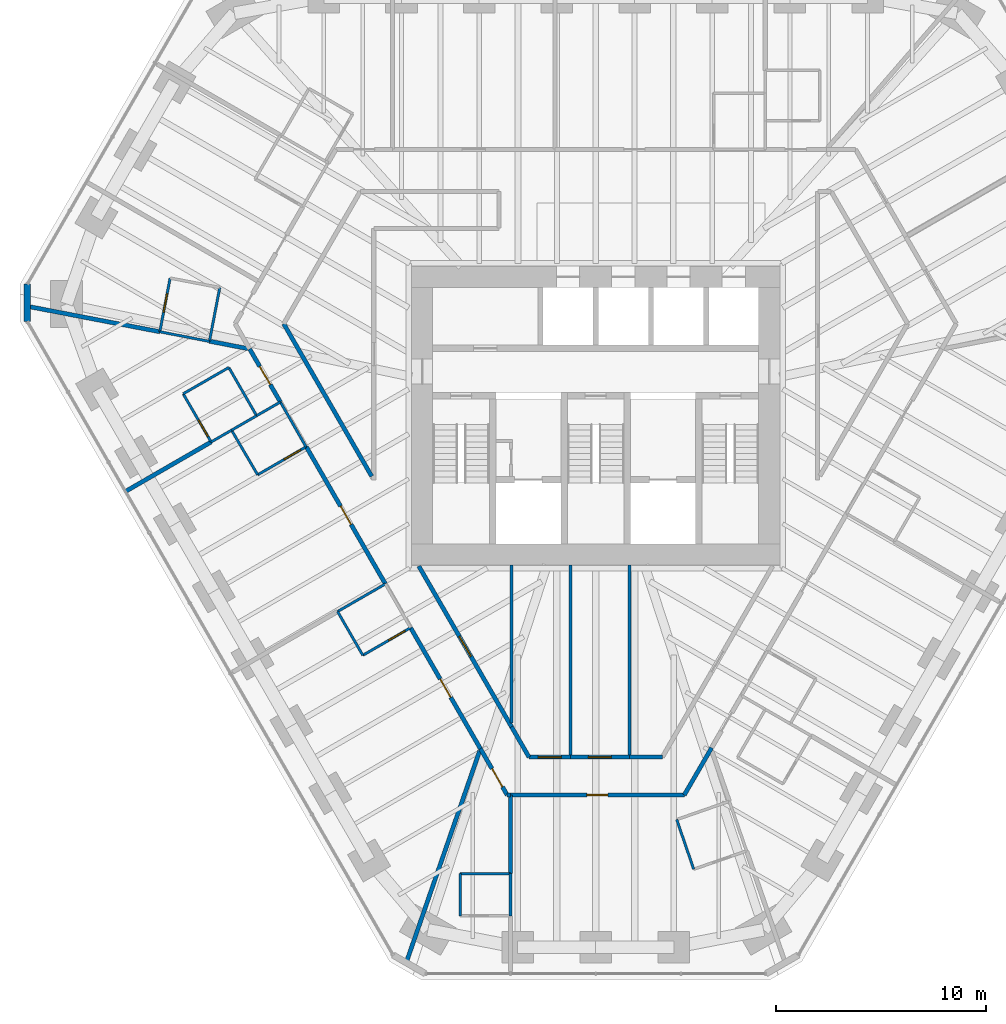
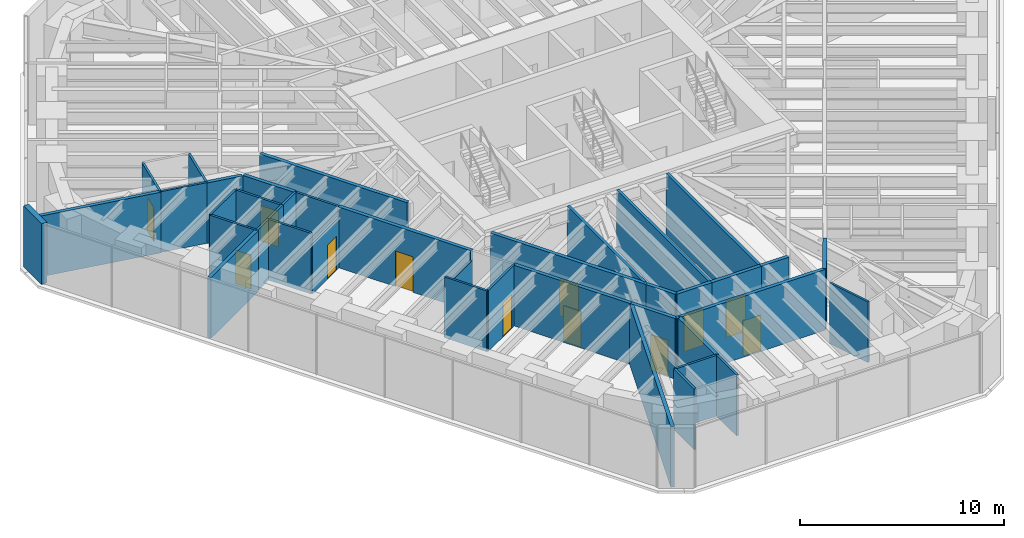
# One storey, part 11 of 16: 41 walls, 12 doors, 12 openings.
"""IFC4 building model written with IfcOpenShell, lengths in metres."""

from ifc_helpers import new_model, si_unit, direction, frame, frame_2d, origin, place, context, subcontext, project, spatial, rectangle, extrude, material, layer, layer_set, type_object, element, fill, save


model = new_model("IFC4")

# Units and contexts
model_context = context("Model", 3, precision=1e-05, world=origin(), true_north=direction((0.0, 1.0)))
body_context = subcontext(model_context, "Body", "Model", "MODEL_VIEW")
ifc_project = project(units=[si_unit("LENGTHUNIT", "METRE"), si_unit("AREAUNIT", "SQUARE_METRE"), si_unit("VOLUMEUNIT", "CUBIC_METRE"), si_unit("PLANEANGLEUNIT", "RADIAN"), si_unit("MASSUNIT", "GRAM", prefix="KILO")], contexts=[model_context])

# Site, building, storey
site_placement = place(None, origin())
site = spatial("IfcSite", under=ifc_project, at=site_placement, CompositionType="ELEMENT")
building_placement = place(site_placement, origin())
building = spatial("IfcBuilding", under=site, at=building_placement, Name="Sandreach Pilgrim Tower", CompositionType="ELEMENT")
storey_placement = place(building_placement, frame((0.0, 0.0, 228.800048828125)))
storey = spatial("IfcBuildingStorey", under=building, at=storey_placement, Name="L57", CompositionType="ELEMENT", Elevation=228.800048828125)

# Walls
ifc_material_1 = material(Name="Gypsum board on steel studs", Category="steel")
ifc_layer_1 = layer(ifc_material_1, 0.14990234375)
ifc_layer_set_1 = layer_set([ifc_layer_1], Name="Back of house wall 150")
wall_type_1 = type_object("IfcWallType", Name="Back of house wall 150", PredefinedType="PARTITIONING", material=ifc_layer_set_1)
wall_1_placement = place(storey_placement, frame((-4.0, -7.10009765625, 0.0), z_axis=(0.0, 0.0, 1.0), x_axis=(0.0, -1.0, 0.0)))
element("IfcWall", 1, at=wall_1_placement, inside=storey, type_object=wall_type_1, Name="Back of house wall L57-058", PredefinedType="PARTITIONING", context=body_context, shape_type="SweptSolid", body=[
    extrude(rectangle(XDim=7.514892578125, YDim=0.14990234375, at=frame_2d((3.75732421875, 0.0))), origin(), (0.0, 0.0, 1.0), 3.639892578125),
])
for number, where, z_axis, x_axis, name in (
    (2, (-1.199951171875, -7.10009765625, 0.0), (0.0, 0.0, 1.0), (0.0, -1.0, 0.0), "Back of house wall L57-063"),
    (3, (1.60009765625, -7.10009765625, 0.0), (0.0, 0.0, 1.0), (0.0, -1.0, 0.0), "Back of house wall L57-065"),
):
    element("IfcWall", number, at=place(storey_placement, frame(where, z_axis=z_axis, x_axis=x_axis)), inside=storey, type_object=wall_type_1, Name=name, PredefinedType="PARTITIONING", context=body_context, shape_type="SweptSolid", body=[
        extrude(rectangle(XDim=9.1298828125, YDim=0.14990234375, at=frame_2d((4.56494140625, 0.0))), origin(), (0.0, 0.0, 1.0), 3.639892578125),
    ])

# Wall, opening, door
ifc_material_2 = material(Name="Moisture-resistant gypsum board on steel studs", Category="steel")
ifc_layer_2 = layer(ifc_material_2, 0.1201171875)
ifc_layer_set_2 = layer_set([ifc_layer_2], Name="Bathroom partition 120")
wall_type_2 = type_object("IfcWallType", Name="Bathroom partition 120", PredefinedType="PARTITIONING", material=ifc_layer_set_2)
wall_2_placement = place(storey_placement, frame((-20.22998046875, 6.5400390625, 0.0), z_axis=(0.0, 0.0, 1.0), x_axis=(-0.188697442844, -0.982035271802, 0.0)))
wall_2 = element("IfcWall", 4, at=wall_2_placement, inside=storey, type_object=wall_type_2, Name="Bathroom partition L57-005", PredefinedType="PARTITIONING", context=body_context, shape_type="SweptSolid", body=[
    extrude(rectangle(XDim=2.5966796875, YDim=0.1201171875, at=frame_2d((1.29833984375, 0.0))), origin(), (0.0, 0.0, 1.0), 3.639892578125),
])
opening_1_placement = place(wall_2_placement, frame((0.75, 0.0, 0.0)))
opening_1 = element("IfcOpeningElement", 5, at=opening_1_placement, cuts=wall_2, Name="Opening D09-14B", PredefinedType="OPENING", context=body_context, shape_type="SweptSolid", body=[
    extrude(rectangle(XDim=0.89990234375, YDim=2.030029296875, at=frame_2d((0.449951171875, 1.01513671875))), frame((0.0, 0.06005859375, 0.0), z_axis=(0.0, -1.0, 0.0), x_axis=(1.0, 0.0, 0.0)), (0.0, 0.0, 1.0), 0.1201171875),
])
ifc_material_3 = material(Name="Timber door, steel frame", Category="steel")
door_type_1 = type_object("IfcDoorType", Name="Bathroom door", OperationType="SINGLE_SWING_LEFT", PredefinedType="DOOR", material=ifc_material_3)
door_1_placement = place(opening_1_placement, origin())
door_1 = element("IfcDoor", 6, at=door_1_placement, inside=storey, type_object=door_type_1, Name="Door 5714B", OperationType="SINGLE_SWING_LEFT", OverallHeight=2.030029296875, OverallWidth=0.89990234375, PredefinedType="DOOR", context=body_context, shape_type="SweptSolid", body=[
    extrude(rectangle(XDim=0.89990234375, YDim=2.030029296875, at=frame_2d((0.449951171875, 1.01513671875))), frame((0.0, 0.02490234375, 0.0), z_axis=(0.0, -1.0, 0.0), x_axis=(1.0, 0.0, 0.0)), (0.0, 0.0, 1.0), 0.050048828125),
])
fill(opening_1, door_1)

wall_3_placement = place(storey_placement, frame((-19.610107421875, 1.0400390625, 0.0), z_axis=(0.0, 0.0, 1.0), x_axis=(0.502242265546, -0.864726954997, 0.0)))
wall_3 = element("IfcWall", 7, at=wall_3_placement, inside=storey, type_object=wall_type_2, Name="Bathroom partition L57-006", PredefinedType="PARTITIONING", context=body_context, shape_type="SweptSolid", body=[
    extrude(rectangle(XDim=2.648193359375, YDim=0.1201171875, at=frame_2d((1.32421875, 0.0))), origin(), (0.0, 0.0, 1.0), 3.639892578125),
])
opening_2_placement = place(wall_3_placement, frame((1.4482421875, 0.0, 0.0)))
opening_2 = element("IfcOpeningElement", 8, at=opening_2_placement, cuts=wall_3, Name="Opening D09-13B", PredefinedType="OPENING", context=body_context, shape_type="SweptSolid", body=[
    extrude(rectangle(XDim=0.89990234375, YDim=2.030029296875, at=frame_2d((0.449951171875, 1.01513671875))), frame((0.0, 0.06005859375, 0.0), z_axis=(0.0, -1.0, 0.0), x_axis=(1.0, 0.0, 0.0)), (0.0, 0.0, 1.0), 0.1201171875),
])
door_2_placement = place(opening_2_placement, origin())
door_2 = element("IfcDoor", 9, at=door_2_placement, inside=storey, type_object=door_type_1, Name="Door 5713B", OperationType="SINGLE_SWING_RIGHT", OverallHeight=2.030029296875, OverallWidth=0.89990234375, PredefinedType="DOOR", context=body_context, shape_type="SweptSolid", body=[
    extrude(rectangle(XDim=0.89990234375, YDim=2.030029296875, at=frame_2d((0.449951171875, 1.01513671875))), frame((0.0, 0.02490234375, 0.0), z_axis=(0.0, -1.0, 0.0), x_axis=(1.0, 0.0, 0.0)), (0.0, 0.0, 1.0), 0.050048828125),
])
fill(opening_2, door_2)

# Walls
wall_4_placement = place(storey_placement, frame((-18.360107421875, 3.530029296875, 0.0), z_axis=(0.0, 0.0, 1.0), x_axis=(-0.981529676402, 0.191309943135, 0.0)))
element("IfcWall", 10, at=wall_4_placement, inside=storey, type_object=wall_type_2, Name="Bathroom partition L57-007", PredefinedType="PARTITIONING", context=body_context, shape_type="SweptSolid", body=[
    extrude(rectangle(XDim=2.404296875, YDim=0.1201171875, at=frame_2d((1.2021484375, 0.0))), origin(), (0.0, 0.0, 1.0), 3.639892578125),
])
wall_5_placement = place(storey_placement, frame((-18.360107421875, 3.5400390625, 0.0), z_axis=(0.0, 0.0, 1.0), x_axis=(0.188788112352, 0.982017845375, 0.0)))
element("IfcWall", 11, at=wall_5_placement, inside=storey, type_object=wall_type_2, Name="Bathroom partition L57-008", PredefinedType="PARTITIONING", context=body_context, shape_type="SweptSolid", body=[
    extrude(rectangle(XDim=2.5966796875, YDim=0.1201171875, at=frame_2d((1.29833984375, 0.0))), origin(), (0.0, 0.0, 1.0), 3.639892578125),
])
wall_6_placement = place(storey_placement, frame((-18.280029296875, -1.25, 0.0), z_axis=(0.0, 0.0, 1.0), x_axis=(0.866007717299, 0.500030632641, 0.0)))
element("IfcWall", 12, at=wall_6_placement, inside=storey, type_object=wall_type_2, Name="Bathroom partition L57-010", PredefinedType="PARTITIONING", context=body_context, shape_type="SweptSolid", body=[
    extrude(rectangle(XDim=1.1201171875, YDim=0.1201171875, at=frame_2d((0.56005859375, 0.0))), origin(), (0.0, 0.0, 1.0), 3.639892578125),
])
wall_7_placement = place(storey_placement, frame((-17.43994140625, 2.2900390625, 0.0), z_axis=(0.0, 0.0, 1.0), x_axis=(-0.86653430447, -0.499117520406, 0.0)))
element("IfcWall", 13, at=wall_7_placement, inside=storey, type_object=wall_type_2, Name="Bathroom partition L57-012", PredefinedType="PARTITIONING", context=body_context, shape_type="SweptSolid", body=[
    extrude(rectangle(XDim=2.50439453125, YDim=0.1201171875, at=frame_2d((1.252197265625, 0.0))), origin(), (0.0, 0.0, 1.0), 3.639892578125),
])
wall_8_placement = place(storey_placement, frame((-17.31005859375, -0.68994140625, 0.0), z_axis=(0.0, 0.0, 1.0), x_axis=(0.865940235891, 0.500147486112, 0.0)))
element("IfcWall", 14, at=wall_8_placement, inside=storey, type_object=wall_type_2, Name="Bathroom partition L57-013", PredefinedType="PARTITIONING", context=body_context, shape_type="SweptSolid", body=[
    extrude(rectangle(XDim=1.37548828125, YDim=0.1201171875, at=frame_2d((0.687744140625, 0.0))), origin(), (0.0, 0.0, 1.0), 3.639892578125),
])
wall_9_placement = place(storey_placement, frame((-17.31005859375, -0.68994140625, 0.0), z_axis=(0.0, 0.0, 1.0), x_axis=(0.50485955871, -0.863201497901, 0.0)))
element("IfcWall", 15, at=wall_9_placement, inside=storey, type_object=wall_type_2, Name="Bathroom partition L57-014", PredefinedType="PARTITIONING", context=body_context, shape_type="SweptSolid", body=[
    extrude(rectangle(XDim=2.4560546875, YDim=0.1201171875, at=frame_2d((1.22802734375, 0.0))), origin(), (0.0, 0.0, 1.0), 3.639892578125),
])
wall_10_placement = place(storey_placement, frame((-16.1201171875, 0.0, 0.0), z_axis=(0.0, 0.0, 1.0), x_axis=(-0.499338582192, 0.866406936915, 0.0)))
element("IfcWall", 16, at=wall_10_placement, inside=storey, type_object=wall_type_2, Name="Bathroom partition L57-020", PredefinedType="PARTITIONING", context=body_context, shape_type="SweptSolid", body=[
    extrude(rectangle(XDim=2.64306640625, YDim=0.1201171875, at=frame_2d((1.321533203125, 0.0))), origin(), (0.0, 0.0, 1.0), 3.639892578125),
])
wall_11_placement = place(storey_placement, frame((-16.118896484375, -0.001953125, 0.0), z_axis=(0.0, 0.0, 1.0), x_axis=(0.865998449813, 0.500046682742, 0.0)))
element("IfcWall", 17, at=wall_11_placement, inside=storey, type_object=wall_type_2, Name="Bathroom partition L57-021", PredefinedType="PARTITIONING", context=body_context, shape_type="SweptSolid", body=[
    extrude(rectangle(XDim=1.3037109375, YDim=0.1201171875, at=frame_2d((0.65185546875, 0.0))), origin(), (0.0, 0.0, 1.0), 3.639892578125),
])

# Wall, opening, door
wall_12_placement = place(storey_placement, frame((-16.070068359375, -2.81005859375, 0.0), z_axis=(0.0, 0.0, 1.0), x_axis=(0.865675724273, 0.500605174168, 0.0)))
wall_12 = element("IfcWall", 18, at=wall_12_placement, inside=storey, type_object=wall_type_2, Name="Bathroom partition L57-022", PredefinedType="PARTITIONING", context=body_context, shape_type="SweptSolid", body=[
    extrude(rectangle(XDim=2.656982421875, YDim=0.1201171875, at=frame_2d((1.32861328125, 0.0))), origin(), (0.0, 0.0, 1.0), 3.022705078125),
])
opening_3_placement = place(wall_12_placement, frame((1.456787109375, 0.0, 0.0)))
opening_3 = element("IfcOpeningElement", 19, at=opening_3_placement, cuts=wall_12, Name="Opening D09-12B", PredefinedType="OPENING", context=body_context, shape_type="SweptSolid", body=[
    extrude(rectangle(XDim=0.89990234375, YDim=2.030029296875, at=frame_2d((0.449951171875, 1.01513671875))), frame((0.0, 0.06005859375, 0.0), z_axis=(0.0, -1.0, 0.0), x_axis=(1.0, 0.0, 0.0)), (0.0, 0.0, 1.0), 0.1201171875),
])
door_3_placement = place(opening_3_placement, origin())
door_3 = element("IfcDoor", 20, at=door_3_placement, inside=storey, type_object=door_type_1, Name="Door 5712B", OperationType="SINGLE_SWING_RIGHT", OverallHeight=2.030029296875, OverallWidth=0.89990234375, PredefinedType="DOOR", context=body_context, shape_type="SweptSolid", body=[
    extrude(rectangle(XDim=0.89990234375, YDim=2.030029296875, at=frame_2d((0.449951171875, 1.01513671875))), frame((0.0, 0.02490234375, 0.0), z_axis=(0.0, -1.0, 0.0), x_axis=(1.0, 0.0, 0.0)), (0.0, 0.0, 1.0), 0.050048828125),
])
fill(opening_3, door_3)

# Walls
wall_13_placement = place(storey_placement, frame((-14.989990234375, 0.64990234375, 0.0), z_axis=(0.0, 0.0, 1.0), x_axis=(0.497027744361, -0.86773464915, 0.0)))
element("IfcWall", 21, at=wall_13_placement, inside=storey, type_object=wall_type_2, Name="Bathroom partition L57-024", PredefinedType="PARTITIONING", context=body_context, shape_type="SweptSolid", body=[
    extrude(rectangle(XDim=2.45458984375, YDim=0.1201171875, at=frame_2d((1.227294921875, 0.0))), origin(), (0.0, 0.0, 1.0), 3.639892578125),
])
wall_14_placement = place(storey_placement, frame((-12.27001953125, -9.31005859375, 0.0), z_axis=(0.0, 0.0, 1.0), x_axis=(0.499737123639, -0.866177122335, 0.0)))
element("IfcWall", 22, at=wall_14_placement, inside=storey, type_object=wall_type_2, Name="Bathroom partition L57-033", PredefinedType="PARTITIONING", context=body_context, shape_type="SweptSolid", body=[
    extrude(rectangle(XDim=2.401123046875, YDim=0.1201171875, at=frame_2d((1.20068359375, 0.0))), origin(), (0.0, 0.0, 1.0), 3.639892578125),
])
wall_15_placement = place(storey_placement, frame((-12.27001953125, -9.31005859375, 0.0), z_axis=(0.0, 0.0, 1.0), x_axis=(0.866114241029, 0.499846097802, 0.0)))
element("IfcWall", 23, at=wall_15_placement, inside=storey, type_object=wall_type_2, Name="Bathroom partition L57-034", PredefinedType="PARTITIONING", context=body_context, shape_type="SweptSolid", body=[
    extrude(rectangle(XDim=2.620849609375, YDim=0.1201171875, at=frame_2d((1.310546875, 0.0))), origin(), (0.0, 0.0, 1.0), 3.0380859375),
])

# Wall, opening, door
wall_16_placement = place(storey_placement, frame((-11.070068359375, -11.389892578125, 0.0), z_axis=(0.0, 0.0, 1.0), x_axis=(0.866154567199, 0.49977621564, 0.0)))
wall_16 = element("IfcWall", 24, at=wall_16_placement, inside=storey, type_object=wall_type_2, Name="Bathroom partition L57-037", PredefinedType="PARTITIONING", context=body_context, shape_type="SweptSolid", body=[
    extrude(rectangle(XDim=2.620849609375, YDim=0.1201171875, at=frame_2d((1.310546875, 0.0))), origin(), (0.0, 0.0, 1.0), 3.639892578125),
])
opening_4_placement = place(wall_16_placement, frame((1.4208984375, 0.0, 0.0)))
opening_4 = element("IfcOpeningElement", 25, at=opening_4_placement, cuts=wall_16, Name="Opening D09-11B", PredefinedType="OPENING", context=body_context, shape_type="SweptSolid", body=[
    extrude(rectangle(XDim=0.89990234375, YDim=2.030029296875, at=frame_2d((0.449951171875, 1.01513671875))), frame((0.0, 0.06005859375, 0.0), z_axis=(0.0, -1.0, 0.0), x_axis=(1.0, 0.0, 0.0)), (0.0, 0.0, 1.0), 0.1201171875),
])
door_4_placement = place(opening_4_placement, origin())
door_4 = element("IfcDoor", 26, at=door_4_placement, inside=storey, type_object=door_type_1, Name="Door 5711B", OperationType="SINGLE_SWING_RIGHT", OverallHeight=2.030029296875, OverallWidth=0.89990234375, PredefinedType="DOOR", context=body_context, shape_type="SweptSolid", body=[
    extrude(rectangle(XDim=0.89990234375, YDim=2.030029296875, at=frame_2d((0.449951171875, 1.01513671875))), frame((0.0, 0.02490234375, 0.0), z_axis=(0.0, -1.0, 0.0), x_axis=(1.0, 0.0, 0.0)), (0.0, 0.0, 1.0), 0.050048828125),
])
fill(opening_4, door_4)

# Walls
for number, where, z_axis, x_axis, name in (
    (27, (-6.449951171875, -21.77001953125, 0.0), (0.0, 0.0, 1.0), (0.0, -1.0, 0.0), "Bathroom partition L57-047"),
    (28, (-4.050048828125, -23.780029296875, 0.0), (0.0, 0.0, 1.0), (0.0, 1.0, 0.0), "Bathroom partition L57-053"),
):
    element("IfcWall", number, at=place(storey_placement, frame(where, z_axis=z_axis, x_axis=x_axis)), inside=storey, type_object=wall_type_2, Name=name, PredefinedType="PARTITIONING", context=body_context, shape_type="SweptSolid", body=[
        extrude(rectangle(XDim=2.010009765625, YDim=0.1201171875, at=frame_2d((1.0048828125, 0.0))), origin(), (0.0, 0.0, 1.0), 3.639892578125),
    ])
wall_17_placement = place(storey_placement, frame((-4.050048828125, -21.77001953125, 0.0), z_axis=(0.0, 0.0, 1.0), x_axis=(-1.0, 0.0, 0.0)))
element("IfcWall", 29, at=wall_17_placement, inside=storey, type_object=wall_type_2, Name="Bathroom partition L57-054", PredefinedType="PARTITIONING", context=body_context, shape_type="SweptSolid", body=[
    extrude(rectangle(XDim=2.39990234375, YDim=0.1201171875, at=frame_2d((1.199951171875, 0.0))), origin(), (0.0, 0.0, 1.0), 3.639892578125),
])
wall_18_placement = place(storey_placement, frame((3.85009765625, -19.199951171875, 0.0), z_axis=(0.0, 0.0, 1.0), x_axis=(0.324551952924, -0.945867871245, 0.0)))
element("IfcWall", 30, at=wall_18_placement, inside=storey, type_object=wall_type_2, Name="Bathroom partition L57-067", PredefinedType="PARTITIONING", context=body_context, shape_type="SweptSolid", body=[
    extrude(rectangle(XDim=2.4951171875, YDim=0.1201171875, at=frame_2d((1.24755859375, 0.0))), origin(), (0.0, 0.0, 1.0), 3.639892578125),
])

# Wall, opening, door
ifc_material_4 = material(Name="Gypsum board on steel studs, two layers each side", Category="steel")
ifc_layer_3 = layer(ifc_material_4, 0.199951171875)
ifc_layer_set_3 = layer_set([ifc_layer_3], Name="Corridor wall 200")
wall_type_3 = type_object("IfcWallType", Name="Corridor wall 200", PredefinedType="PARTITIONING", material=ifc_layer_set_3)
wall_19_placement = place(storey_placement, frame((-16.449951171875, 3.169921875, 0.0), z_axis=(0.0, 0.0, 1.0), x_axis=(0.501293994647, -0.865277025542, 0.0)))
wall_19 = element("IfcWall", 31, at=wall_19_placement, inside=storey, type_object=wall_type_3, Name="Corridor wall L57-018", PredefinedType="PARTITIONING", context=body_context, shape_type="SweptSolid", body=[
    extrude(rectangle(XDim=2.912353515625, YDim=0.199951171875, at=frame_2d((1.4560546875, 0.0))), origin(), (0.0, 0.0, 1.0), 3.639892578125),
])
opening_5_placement = place(wall_19_placement, frame((0.956298828125, 0.0, 0.0)))
opening_5 = element("IfcOpeningElement", 32, at=opening_5_placement, cuts=wall_19, Name="Opening D10-13", PredefinedType="OPENING", context=body_context, shape_type="SweptSolid", body=[
    extrude(rectangle(XDim=1.0, YDim=2.1298828125, at=frame_2d((0.5, 1.06494140625))), frame((0.0, 0.10009765625, 0.0), z_axis=(0.0, -1.0, 0.0), x_axis=(1.0, 0.0, 0.0)), (0.0, 0.0, 1.0), 0.199951171875),
])
ifc_material_5 = material(Name="Steel door and frame", Category="steel")
door_type_2 = type_object("IfcDoorType", Name="Guest room entry door", OperationType="SINGLE_SWING_LEFT", PredefinedType="DOOR", material=ifc_material_5)
door_5_placement = place(opening_5_placement, origin())
door_5 = element("IfcDoor", 33, at=door_5_placement, inside=storey, type_object=door_type_2, Name="Door 5713", OperationType="SINGLE_SWING_LEFT", OverallHeight=2.1298828125, OverallWidth=1.0, PredefinedType="DOOR", context=body_context, shape_type="SweptSolid", body=[
    extrude(rectangle(XDim=1.0, YDim=2.1298828125, at=frame_2d((0.5, 1.06494140625))), frame((0.0, 0.02490234375, 0.0), z_axis=(0.0, -1.0, 0.0), x_axis=(1.0, 0.0, 0.0)), (0.0, 0.0, 1.0), 0.050048828125),
])
fill(opening_5, door_5)

# Wall
wall_20_placement = place(storey_placement, frame((-10.6474609375, -2.881103515625, 0.0), z_axis=(0.0, 0.0, 1.0), x_axis=(-0.499665221769, 0.866218601829, 0.0)))
element("IfcWall", 34, at=wall_20_placement, inside=storey, type_object=wall_type_3, Name="Corridor wall L57-038", PredefinedType="PARTITIONING", context=body_context, shape_type="SweptSolid", body=[
    extrude(rectangle(XDim=8.370849609375, YDim=0.199951171875, at=frame_2d((4.185546875, 0.0))), origin(), (0.0, 0.0, 1.0), 3.639892578125),
])

# Wall, opening, door
wall_21_placement = place(storey_placement, frame((-9.9970703125, -7.998291015625, 0.0), z_axis=(0.0, 0.0, 1.0), x_axis=(-0.499699067435, 0.866199077582, 0.0)))
wall_21 = element("IfcWall", 35, at=wall_21_placement, inside=storey, type_object=wall_type_3, Name="Corridor wall L57-041", PredefinedType="PARTITIONING", context=body_context, shape_type="SweptSolid", body=[
    extrude(rectangle(XDim=7.531494140625, YDim=0.199951171875, at=frame_2d((3.765625, 0.0))), origin(), (0.0, 0.0, 1.0), 3.639892578125),
])
opening_6_placement = place(wall_21_placement, frame((3.265869140625, 0.0, 0.0)))
opening_6 = element("IfcOpeningElement", 36, at=opening_6_placement, cuts=wall_21, Name="Opening D10-12", PredefinedType="OPENING", context=body_context, shape_type="SweptSolid", body=[
    extrude(rectangle(XDim=1.0, YDim=2.1298828125, at=frame_2d((0.5, 1.06494140625))), frame((0.0, 0.10009765625, 0.0), z_axis=(0.0, -1.0, 0.0), x_axis=(1.0, 0.0, 0.0)), (0.0, 0.0, 1.0), 0.199951171875),
])
door_6_placement = place(opening_6_placement, origin())
door_6 = element("IfcDoor", 37, at=door_6_placement, inside=storey, type_object=door_type_2, Name="Door 5712", OperationType="SINGLE_SWING_LEFT", OverallHeight=2.1298828125, OverallWidth=1.0, PredefinedType="DOOR", context=body_context, shape_type="SweptSolid", body=[
    extrude(rectangle(XDim=1.0, YDim=2.1298828125, at=frame_2d((0.5, 1.06494140625))), frame((0.0, 0.02490234375, 0.0), z_axis=(0.0, -1.0, 0.0), x_axis=(1.0, 0.0, 0.0)), (0.0, 0.0, 1.0), 0.050048828125),
])
fill(opening_6, door_6)

wall_22_placement = place(storey_placement, frame((-8.800048828125, -10.080078125, 0.0), z_axis=(0.0, 0.0, 1.0), x_axis=(0.500034373799, -0.866005557153, 0.0)))
wall_22 = element("IfcWall", 38, at=wall_22_placement, inside=storey, type_object=wall_type_3, Name="Corridor wall L57-045", PredefinedType="PARTITIONING", context=body_context, shape_type="SweptSolid", body=[
    extrude(rectangle(XDim=6.6396484375, YDim=0.199951171875, at=frame_2d((3.31982421875, 0.0))), origin(), (0.0, 0.0, 1.0), 3.639892578125),
])
opening_7_placement = place(wall_22_placement, frame((2.81982421875, 0.0, 0.0)))
opening_7 = element("IfcOpeningElement", 39, at=opening_7_placement, cuts=wall_22, Name="Opening D10-11", PredefinedType="OPENING", context=body_context, shape_type="SweptSolid", body=[
    extrude(rectangle(XDim=1.0, YDim=2.1298828125, at=frame_2d((0.5, 1.06494140625))), frame((0.0, 0.10009765625, 0.0), z_axis=(0.0, -1.0, 0.0), x_axis=(1.0, 0.0, 0.0)), (0.0, 0.0, 1.0), 0.199951171875),
])
door_7_placement = place(opening_7_placement, origin())
door_7 = element("IfcDoor", 40, at=door_7_placement, inside=storey, type_object=door_type_2, Name="Door 5711", OperationType="SINGLE_SWING_LEFT", OverallHeight=2.1298828125, OverallWidth=1.0, PredefinedType="DOOR", context=body_context, shape_type="SweptSolid", body=[
    extrude(rectangle(XDim=1.0, YDim=2.1298828125, at=frame_2d((0.5, 1.06494140625))), frame((0.0, 0.02490234375, 0.0), z_axis=(0.0, -1.0, 0.0), x_axis=(1.0, 0.0, 0.0)), (0.0, 0.0, 1.0), 0.050048828125),
])
fill(opening_7, door_7)

wall_23_placement = place(storey_placement, frame((-5.47998046875, -15.830078125, 0.0), z_axis=(0.0, 0.0, 1.0), x_axis=(0.499963722229, -0.866046347752, 0.0)))
wall_23 = element("IfcWall", 41, at=wall_23_placement, inside=storey, type_object=wall_type_3, Name="Corridor wall L57-048", PredefinedType="PARTITIONING", context=body_context, shape_type="SweptSolid", body=[
    extrude(rectangle(XDim=2.540283203125, YDim=0.199951171875, at=frame_2d((1.27001953125, 0.0))), origin(), (0.0, 0.0, 1.0), 3.639892578125),
])
opening_8_placement = place(wall_23_placement, frame((1.10009765625, 0.0, 0.0)))
opening_8 = element("IfcOpeningElement", 42, at=opening_8_placement, cuts=wall_23, Name="Opening D10-10", PredefinedType="OPENING", context=body_context, shape_type="SweptSolid", body=[
    extrude(rectangle(XDim=1.0, YDim=2.1298828125, at=frame_2d((0.5, 1.06494140625))), frame((0.0, 0.10009765625, 0.0), z_axis=(0.0, -1.0, 0.0), x_axis=(1.0, 0.0, 0.0)), (0.0, 0.0, 1.0), 0.199951171875),
])
door_8_placement = place(opening_8_placement, origin())
door_8 = element("IfcDoor", 43, at=door_8_placement, inside=storey, type_object=door_type_2, Name="Door 5710", OperationType="SINGLE_SWING_RIGHT", OverallHeight=2.1298828125, OverallWidth=1.0, PredefinedType="DOOR", context=body_context, shape_type="SweptSolid", body=[
    extrude(rectangle(XDim=1.0, YDim=2.1298828125, at=frame_2d((0.5, 1.06494140625))), frame((0.0, 0.02490234375, 0.0), z_axis=(0.0, -1.0, 0.0), x_axis=(1.0, 0.0, 0.0)), (0.0, 0.0, 1.0), 0.050048828125),
])
fill(opening_8, door_8)

# Wall
wall_24_placement = place(storey_placement, frame((-4.2099609375, -18.030029296875, 0.0), z_axis=(0.0, 0.0, 1.0), x_axis=(1.0, 0.0, 0.0)))
element("IfcWall", 44, at=wall_24_placement, inside=storey, type_object=wall_type_3, Name="Corridor wall L57-051", PredefinedType="PARTITIONING", context=body_context, shape_type="SweptSolid", body=[
    extrude(rectangle(XDim=0.159912109375, YDim=0.199951171875, at=frame_2d((0.080078125, 0.0))), origin(), (0.0, 0.0, 1.0), 3.639892578125),
])

# Wall, opening, door
wall_25_placement = place(storey_placement, frame((-4.050048828125, -18.030029296875, 0.0), z_axis=(0.0, 0.0, 1.0), x_axis=(1.0, 0.0, 0.0)))
wall_25 = element("IfcWall", 45, at=wall_25_placement, inside=storey, type_object=wall_type_3, Name="Corridor wall L57-056", PredefinedType="PARTITIONING", context=body_context, shape_type="SweptSolid", body=[
    extrude(rectangle(XDim=8.260009765625, YDim=0.199951171875, at=frame_2d((4.1298828125, 0.0))), origin(), (0.0, 0.0, 1.0), 3.639892578125),
])
opening_9_placement = place(wall_25_placement, frame((3.6298828125, 0.0, 0.0)))
opening_9 = element("IfcOpeningElement", 46, at=opening_9_placement, cuts=wall_25, Name="Opening D10-09", PredefinedType="OPENING", context=body_context, shape_type="SweptSolid", body=[
    extrude(rectangle(XDim=1.0, YDim=2.1298828125, at=frame_2d((0.5, 1.06494140625))), frame((0.0, 0.10009765625, 0.0), z_axis=(0.0, -1.0, 0.0), x_axis=(1.0, 0.0, 0.0)), (0.0, 0.0, 1.0), 0.199951171875),
])
door_9_placement = place(opening_9_placement, origin())
door_9 = element("IfcDoor", 47, at=door_9_placement, inside=storey, type_object=door_type_2, Name="Door 5709", OperationType="SINGLE_SWING_LEFT", OverallHeight=2.1298828125, OverallWidth=1.0, PredefinedType="DOOR", context=body_context, shape_type="SweptSolid", body=[
    extrude(rectangle(XDim=1.0, YDim=2.1298828125, at=frame_2d((0.5, 1.06494140625))), frame((0.0, 0.02490234375, 0.0), z_axis=(0.0, -1.0, 0.0), x_axis=(1.0, 0.0, 0.0)), (0.0, 0.0, 1.0), 0.050048828125),
])
fill(opening_9, door_9)

wall_26_placement = place(storey_placement, frame((-4.0, -14.7900390625, 0.0), z_axis=(0.0, 0.0, 1.0), x_axis=(-0.499916512745, 0.866073599808, 0.0)))
wall_26 = element("IfcWall", 48, at=wall_26_placement, inside=storey, type_object=wall_type_3, Name="Corridor wall L57-057", PredefinedType="PARTITIONING", context=body_context, shape_type="SweptSolid", body=[
    extrude(rectangle(XDim=8.8212890625, YDim=0.199951171875, at=frame_2d((4.41064453125, 0.0))), origin(), (0.0, 0.0, 1.0), 3.639892578125),
])
opening_10_placement = place(wall_26_placement, frame((3.860595703125, 0.0, 0.0)))
opening_10 = element("IfcOpeningElement", 49, at=opening_10_placement, cuts=wall_26, Name="Opening D11H-S1", PredefinedType="OPENING", context=body_context, shape_type="SweptSolid", body=[
    extrude(rectangle(XDim=1.10009765625, YDim=2.199951171875, at=frame_2d((0.550048828125, 1.10009765625))), frame((0.0, 0.10009765625, 0.0), z_axis=(0.0, -1.0, 0.0), x_axis=(1.0, 0.0, 0.0)), (0.0, 0.0, 1.0), 0.199951171875),
])
ifc_material_6 = material(Name="Steel door and frame", Category="steel")
door_type_3 = type_object("IfcDoorType", Name="Back of house door", OperationType="SINGLE_SWING_LEFT", PredefinedType="DOOR", material=ifc_material_6)
door_10_placement = place(opening_10_placement, origin())
door_10 = element("IfcDoor", 50, at=door_10_placement, inside=storey, type_object=door_type_3, Name="Door 57S1", OperationType="SINGLE_SWING_LEFT", OverallHeight=2.199951171875, OverallWidth=1.10009765625, PredefinedType="DOOR", context=body_context, shape_type="SweptSolid", body=[
    extrude(rectangle(XDim=1.10009765625, YDim=2.199951171875, at=frame_2d((0.550048828125, 1.10009765625))), frame((0.0, 0.02490234375, 0.0), z_axis=(0.0, -1.0, 0.0), x_axis=(1.0, 0.0, 0.0)), (0.0, 0.0, 1.0), 0.050048828125),
])
fill(opening_10, door_10)

# Wall
wall_27_placement = place(storey_placement, frame((-3.169921875, -16.22998046875, 0.0), z_axis=(0.0, 0.0, 1.0), x_axis=(-0.499425709803, 0.866356716594, 0.0)))
element("IfcWall", 51, at=wall_27_placement, inside=storey, type_object=wall_type_3, Name="Corridor wall L57-059", PredefinedType="PARTITIONING", context=body_context, shape_type="SweptSolid", body=[
    extrude(rectangle(XDim=1.662109375, YDim=0.199951171875, at=frame_2d((0.8310546875, 0.0))), origin(), (0.0, 0.0, 1.0), 3.639892578125),
])

# Wall, opening, door
wall_28_placement = place(storey_placement, frame((-1.199951171875, -16.22998046875, 0.0), z_axis=(0.0, 0.0, 1.0), x_axis=(-1.0, 0.0, 0.0)))
wall_28 = element("IfcWall", 52, at=wall_28_placement, inside=storey, type_object=wall_type_3, Name="Corridor wall L57-062", PredefinedType="PARTITIONING", context=body_context, shape_type="SweptSolid", body=[
    extrude(rectangle(XDim=1.969970703125, YDim=0.199951171875, at=frame_2d((0.98486328125, 0.0))), origin(), (0.0, 0.0, 1.0), 3.639892578125),
])
opening_11_placement = place(wall_28_placement, frame((0.43505859375, 0.0, 0.0)))
opening_11 = element("IfcOpeningElement", 53, at=opening_11_placement, cuts=wall_28, Name="Opening D11H-S2", PredefinedType="OPENING", context=body_context, shape_type="SweptSolid", body=[
    extrude(rectangle(XDim=1.10009765625, YDim=2.199951171875, at=frame_2d((0.550048828125, 1.10009765625))), frame((0.0, 0.10009765625, 0.0), z_axis=(0.0, -1.0, 0.0), x_axis=(1.0, 0.0, 0.0)), (0.0, 0.0, 1.0), 0.199951171875),
])
door_11_placement = place(opening_11_placement, origin())
door_11 = element("IfcDoor", 54, at=door_11_placement, inside=storey, type_object=door_type_3, Name="Door 57S2", OperationType="SINGLE_SWING_LEFT", OverallHeight=2.199951171875, OverallWidth=1.10009765625, PredefinedType="DOOR", context=body_context, shape_type="SweptSolid", body=[
    extrude(rectangle(XDim=1.10009765625, YDim=2.199951171875, at=frame_2d((0.550048828125, 1.10009765625))), frame((0.0, 0.02490234375, 0.0), z_axis=(0.0, -1.0, 0.0), x_axis=(1.0, 0.0, 0.0)), (0.0, 0.0, 1.0), 0.050048828125),
])
fill(opening_11, door_11)

wall_29_placement = place(storey_placement, frame((1.60009765625, -16.22998046875, 0.0), z_axis=(0.0, 0.0, 1.0), x_axis=(-1.0, 0.0, 0.0)))
wall_29 = element("IfcWall", 55, at=wall_29_placement, inside=storey, type_object=wall_type_3, Name="Corridor wall L57-064", PredefinedType="PARTITIONING", context=body_context, shape_type="SweptSolid", body=[
    extrude(rectangle(XDim=2.800048828125, YDim=0.199951171875, at=frame_2d((1.39990234375, 0.0))), origin(), (0.0, 0.0, 1.0), 3.639892578125),
])
opening_12_placement = place(wall_29_placement, frame((0.85009765625, 0.0, 0.0)))
opening_12 = element("IfcOpeningElement", 56, at=opening_12_placement, cuts=wall_29, Name="Opening D11H-S3", PredefinedType="OPENING", context=body_context, shape_type="SweptSolid", body=[
    extrude(rectangle(XDim=1.10009765625, YDim=2.199951171875, at=frame_2d((0.550048828125, 1.10009765625))), frame((0.0, 0.10009765625, 0.0), z_axis=(0.0, -1.0, 0.0), x_axis=(1.0, 0.0, 0.0)), (0.0, 0.0, 1.0), 0.199951171875),
])
door_12_placement = place(opening_12_placement, origin())
door_12 = element("IfcDoor", 57, at=door_12_placement, inside=storey, type_object=door_type_3, Name="Door 57S3", OperationType="SINGLE_SWING_LEFT", OverallHeight=2.199951171875, OverallWidth=1.10009765625, PredefinedType="DOOR", context=body_context, shape_type="SweptSolid", body=[
    extrude(rectangle(XDim=1.10009765625, YDim=2.199951171875, at=frame_2d((0.550048828125, 1.10009765625))), frame((0.0, 0.02490234375, 0.0), z_axis=(0.0, -1.0, 0.0), x_axis=(1.0, 0.0, 0.0)), (0.0, 0.0, 1.0), 0.050048828125),
])
fill(opening_12, door_12)

# Walls
wall_30_placement = place(storey_placement, frame((3.169921875, -16.22998046875, 0.0), z_axis=(0.0, 0.0, 1.0), x_axis=(-1.0, 0.0, 0.0)))
element("IfcWall", 58, at=wall_30_placement, inside=storey, type_object=wall_type_3, Name="Corridor wall L57-066", PredefinedType="PARTITIONING", context=body_context, shape_type="SweptSolid", body=[
    extrude(rectangle(XDim=1.56982421875, YDim=0.199951171875, at=frame_2d((0.784912109375, 0.0))), origin(), (0.0, 0.0, 1.0), 3.639892578125),
])
wall_31_placement = place(storey_placement, frame((5.510009765625, -15.7900390625, 0.0), z_axis=(0.0, 0.0, 1.0), x_axis=(-0.501964949025, -0.864887963814, 0.0)))
element("IfcWall", 59, at=wall_31_placement, inside=storey, type_object=wall_type_3, Name="Corridor wall L57-069", PredefinedType="PARTITIONING", context=body_context, shape_type="SweptSolid", body=[
    extrude(rectangle(XDim=2.58984375, YDim=0.199951171875, at=frame_2d((1.294921875, 0.0))), origin(), (0.0, 0.0, 1.0), 3.639892578125),
])
ifc_material_7 = material(Name="Double steel stud acoustic wall, gypsum board", Category="steel")
ifc_layer_4 = layer(ifc_material_7, 0.199951171875)
ifc_layer_set_4 = layer_set([ifc_layer_4], Name="Party wall 200")
wall_type_4 = type_object("IfcWallType", Name="Party wall 200", PredefinedType="PARTITIONING", material=ifc_layer_set_4)
wall_32_placement = place(storey_placement, frame((-27.04052734375, 5.204345703125, 0.0), z_axis=(0.0, 0.0, 1.0), x_axis=(0.98203917013, -0.188677153703, 0.0)))
element("IfcWall", 60, at=wall_32_placement, inside=storey, type_object=wall_type_4, Name="Party wall L57-001", PredefinedType="PARTITIONING", context=body_context, shape_type="SweptSolid", body=[
    extrude(rectangle(XDim=6.43603515625, YDim=0.199951171875, at=frame_2d((3.218017578125, 0.0))), origin(), (0.0, 0.0, 1.0), 3.639892578125),
])
wall_33_placement = place(storey_placement, frame((-22.323974609375, -3.5849609375, 0.0), z_axis=(0.0, 0.0, 1.0), x_axis=(0.86600796803, 0.500030198396, 0.0)))
element("IfcWall", 61, at=wall_33_placement, inside=storey, type_object=wall_type_4, Name="Party wall L57-003", PredefinedType="PARTITIONING", context=body_context, shape_type="SweptSolid", body=[
    extrude(rectangle(XDim=4.669677734375, YDim=0.199951171875, at=frame_2d((2.3349609375, 0.0))), origin(), (0.0, 0.0, 1.0), 3.639892578125),
])
wall_34_placement = place(storey_placement, frame((-18.360107421875, 3.5400390625, 0.0), z_axis=(0.0, 0.0, 1.0), x_axis=(0.981743214677, -0.190211094409, 0.0)))
element("IfcWall", 62, at=wall_34_placement, inside=storey, type_object=wall_type_4, Name="Party wall L57-009", PredefinedType="PARTITIONING", context=body_context, shape_type="SweptSolid", body=[
    extrude(rectangle(XDim=1.845703125, YDim=0.199951171875, at=frame_2d((0.9228515625, 0.0))), origin(), (0.0, 0.0, 1.0), 3.639892578125),
])
wall_35_placement = place(storey_placement, frame((-9.01025390625, -26.01171875, 0.0), z_axis=(0.0, 0.0, 1.0), x_axis=(0.327582991606, 0.944822408504, 0.0)))
element("IfcWall", 63, at=wall_35_placement, inside=storey, type_object=wall_type_4, Name="Party wall L57-044", PredefinedType="PARTITIONING", context=body_context, shape_type="SweptSolid", body=[
    extrude(rectangle(XDim=10.66650390625, YDim=0.199951171875, at=frame_2d((5.333251953125, 0.0))), origin(), (0.0, 0.0, 1.0), 3.639892578125),
])
wall_36_placement = place(storey_placement, frame((-4.050048828125, -21.77001953125, 0.0), z_axis=(0.0, 0.0, 1.0), x_axis=(0.0, 1.0, 0.0)))
element("IfcWall", 64, at=wall_36_placement, inside=storey, type_object=wall_type_4, Name="Party wall L57-055", PredefinedType="PARTITIONING", context=body_context, shape_type="SweptSolid", body=[
    extrude(rectangle(XDim=3.72998046875, YDim=0.199951171875, at=frame_2d((1.864990234375, 0.0))), origin(), (0.0, 0.0, 1.0), 3.639892578125),
])
ifc_material_8 = material(Name="Terracotta rainscreen on concrete", Category="masonry")
ifc_layer_5 = layer(ifc_material_8, 0.300048828125)
ifc_layer_set_5 = layer_set([ifc_layer_5], Name="Terracotta chamfer pier")
wall_type_5 = type_object("IfcWallType", Name="Terracotta chamfer pier", PredefinedType="SOLIDWALL", material=ifc_layer_set_5)
wall_37_placement = place(storey_placement, frame((-27.02001953125, 4.47998046875, 0.0), z_axis=(0.0, 0.0, 1.0), x_axis=(0.0, 1.0, 0.0)))
element("IfcWall", 65, at=wall_37_placement, inside=storey, type_object=wall_type_5, Name="Chamfer pier L57 SW", PredefinedType="SOLIDWALL", context=body_context, shape_type="SweptSolid", body=[
    extrude(rectangle(XDim=1.77001953125, YDim=0.300048828125, at=frame_2d((0.885009765625, 0.0))), origin(), (0.0, 0.0, 1.0), 3.639892578125),
])

save(model, "model.ifc")
